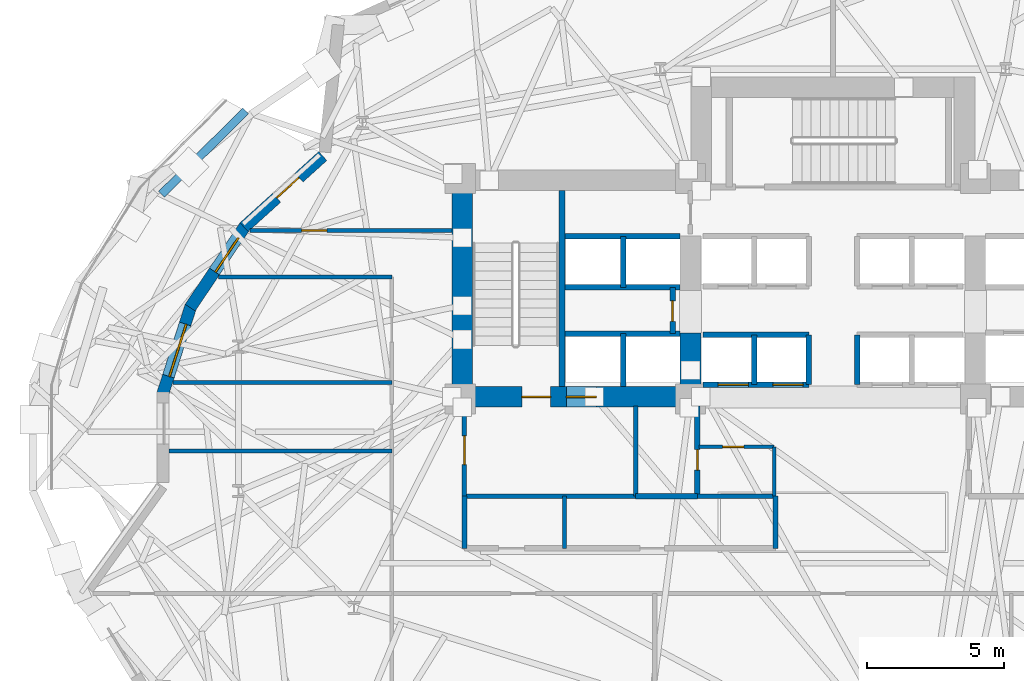
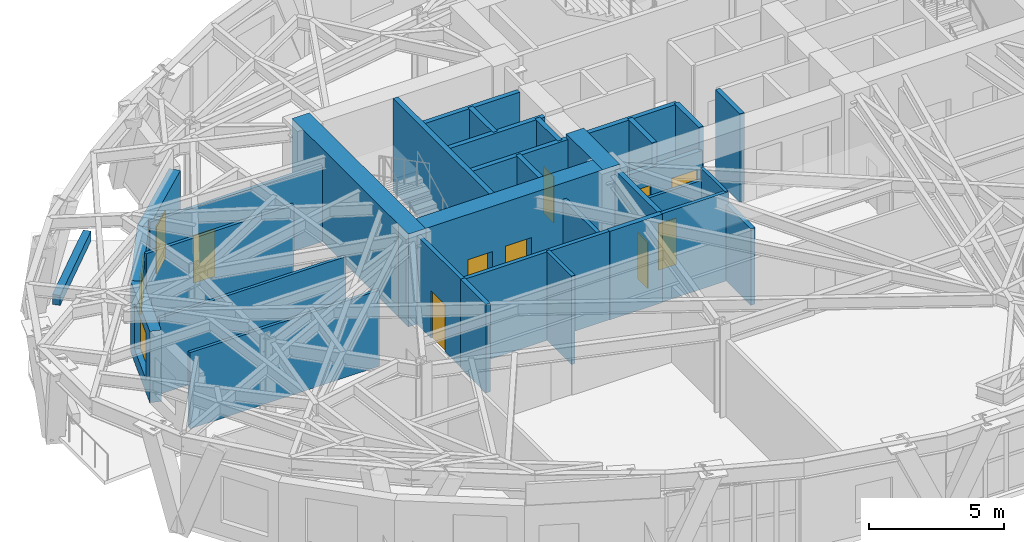
# One storey, part 13 of 20: 34 walls, 10 doors, 2 windows, 12 openings.
"""IFC4 building model written with IfcOpenShell, lengths in metres."""

from ifc_helpers import new_model, si_unit, direction, frame, frame_2d, origin, place, context, subcontext, project, spatial, rectangle, extrude, material, layer, layer_set, type_object, element, fill, save


model = new_model("IFC4")

# Units and contexts
model_context = context("Model", 3, precision=1e-05, world=origin(), true_north=direction((0.0, 1.0)))
body_context = subcontext(model_context, "Body", "Model", "MODEL_VIEW")
ifc_project = project(units=[si_unit("LENGTHUNIT", "METRE"), si_unit("AREAUNIT", "SQUARE_METRE"), si_unit("VOLUMEUNIT", "CUBIC_METRE"), si_unit("PLANEANGLEUNIT", "RADIAN"), si_unit("MASSUNIT", "GRAM", prefix="KILO")], contexts=[model_context])

# Site, building, storey
site_placement = place(None, origin())
site = spatial("IfcSite", under=ifc_project, at=site_placement, CompositionType="ELEMENT")
building_placement = place(site_placement, origin())
building = spatial("IfcBuilding", under=site, at=building_placement, Name="Keldmark Tower", CompositionType="ELEMENT")
storey_placement = place(building_placement, frame((0.0, 0.0, 81.89990234375)))
storey = spatial("IfcBuildingStorey", under=building, at=storey_placement, Name="L21", CompositionType="ELEMENT", Elevation=81.89990234375)

# Wall, opening, door
ifc_material_1 = material(Name="Acoustic Double-Layer Gypsum Corridor Partition", Category="gypsum")
ifc_layer_1 = layer(ifc_material_1, 0.139892578125)
ifc_layer_set_1 = layer_set([ifc_layer_1], Name="Acoustic Double-Layer Gypsum Corridor Partition")
wall_type_1 = type_object("IfcWallType", Name="Acoustic Corridor Partition 140 mm", PredefinedType="PARTITIONING", material=ifc_layer_set_1)
wall_1_placement = place(storey_placement, frame((-21.28076171875, 7.550048828125, 0.0), z_axis=(0.0, 0.0, 1.0), x_axis=(1.0, 0.0, 0.0)))
wall_1 = element("IfcWall", 1, at=wall_1_placement, inside=storey, type_object=wall_type_1, Name="L21 Acoustic Corridor Partition 140 mm COR-WN-CAP", PredefinedType="PARTITIONING", context=body_context, shape_type="SweptSolid", body=[
    extrude(rectangle(XDim=7.380859375, YDim=0.139892578125, at=frame_2d((3.6904296875, 0.0))), origin(), (0.0, 0.0, 1.0), 3.463134765625),
])
opening_1_placement = place(wall_1_placement, frame((1.889892578125, 0.0, 0.0)))
opening_1 = element("IfcOpeningElement", 2, at=opening_1_placement, cuts=wall_1, Name="Opening D-EX092", PredefinedType="OPENING", context=body_context, shape_type="SweptSolid", body=[
    extrude(rectangle(XDim=0.919921875, YDim=2.14990234375, at=frame_2d((0.4599609375, 1.074951171875))), frame((0.0, 0.079833984375, 0.0), z_axis=(0.0, -1.0, 0.0), x_axis=(1.0, 0.0, 0.0)), (0.0, 0.0, 1.0), 0.159912109375),
])
ifc_material_2 = material(Name="Flush American Ash Executive Office Door", Category="wood")
door_type_1 = type_object("IfcDoorType", Name="Executive Office Door 920x2150", OperationType="NOTDEFINED", PredefinedType="DOOR", material=ifc_material_2)
door_1_placement = place(opening_1_placement, origin())
door_1 = element("IfcDoor", 3, at=door_1_placement, inside=storey, type_object=door_type_1, Name="L21 Executive Office Door 920x2150 D-NRNW-L21", OperationType="SINGLE_SWING_LEFT", OverallHeight=2.14990234375, OverallWidth=0.919921875, PredefinedType="DOOR", context=body_context, shape_type="SweptSolid", body=[
    extrude(rectangle(XDim=0.919921875, YDim=2.14990234375, at=frame_2d((0.4599609375, 1.074951171875))), frame((0.0, 0.02490234375, 0.0), z_axis=(0.0, -1.0, 0.0), x_axis=(1.0, 0.0, 0.0)), (0.0, 0.0, 1.0), 0.050048828125),
])
fill(opening_1, door_1)

# Walls
wall_2_placement = place(storey_placement, frame((-22.431884765625, 5.85009765625, 0.0), z_axis=(0.0, 0.0, 1.0), x_axis=(1.0, 0.0, 0.0)))
element("IfcWall", 4, at=wall_2_placement, inside=storey, type_object=wall_type_1, Name="L21 Acoustic Corridor Partition 140 mm COR-WA-S", PredefinedType="PARTITIONING", context=body_context, shape_type="SweptSolid", body=[
    extrude(rectangle(XDim=6.331787109375, YDim=0.139892578125, at=frame_2d((3.166015625, 0.0))), origin(), (0.0, 0.0, 1.0), 3.463134765625),
])
ifc_material_3 = material(Name="Heavy Acoustic Plumbing Chase Gypsum Assembly", Category="gypsum")
ifc_layer_2 = layer(ifc_material_3, 0.18994140625)
ifc_layer_set_2 = layer_set([ifc_layer_2], Name="Heavy Acoustic Plumbing Chase Gypsum Assembly")
wall_type_2 = type_object("IfcWallType", Name="Heavy Wet Wall 190 mm", PredefinedType="PLUMBINGWALL", material=ifc_layer_set_2)
wall_3_placement = place(storey_placement, frame((-13.449951171875, -4.050048828125, 0.0), z_axis=(0.0, 0.0, 1.0), x_axis=(0.0, 1.0, 0.0)))
element("IfcWall", 5, at=wall_3_placement, inside=storey, type_object=wall_type_2, Name="L21 Heavy Wet Wall 190 mm SPK-W-W", PredefinedType="PLUMBINGWALL", context=body_context, shape_type="SweptSolid", body=[
    extrude(rectangle(XDim=1.900146484375, YDim=0.18994140625, at=frame_2d((0.9501953125, 0.0))), origin(), (0.0, 0.0, 1.0), 4.010009765625),
])
wall_4_placement = place(storey_placement, frame((-2.10009765625, -4.050048828125, 0.0), z_axis=(0.0, 0.0, 1.0), x_axis=(0.0, 1.0, 0.0)))
element("IfcWall", 6, at=wall_4_placement, inside=storey, type_object=wall_type_2, Name="L21 Heavy Wet Wall 190 mm SPK-W-E", PredefinedType="PLUMBINGWALL", context=body_context, shape_type="SweptSolid", body=[
    extrude(rectangle(XDim=1.900146484375, YDim=0.18994140625, at=frame_2d((0.9501953125, 0.0))), origin(), (0.0, 0.0, 1.0), 3.463134765625),
])

# Wall, opening, door
ifc_material_4 = material(Name="Acoustic Gypsum Board Interior Partition", Category="gypsum")
ifc_layer_3 = layer(ifc_material_4, 0.1298828125)
ifc_layer_set_3 = layer_set([ifc_layer_3], Name="Acoustic Gypsum Board Interior Partition")
wall_type_3 = type_object("IfcWallType", Name="Interior Partition 130 mm", PredefinedType="PARTITIONING", material=ifc_layer_set_3)
wall_5_placement = place(storey_placement, frame((-4.8798828125, -0.35009765625, 0.0), z_axis=(0.0, 0.0, 1.0), x_axis=(1.0, 0.0, 0.0)))
wall_5 = element("IfcWall", 7, at=wall_5_placement, inside=storey, type_object=wall_type_3, Name="L21 Interior Partition 130 mm CSC-W-N", PredefinedType="PARTITIONING", context=body_context, shape_type="SweptSolid", body=[
    extrude(rectangle(XDim=2.72998046875, YDim=0.1298828125, at=frame_2d((1.364990234375, 0.0))), origin(), (0.0, 0.0, 1.0), 3.463134765625),
])
opening_2_placement = place(wall_5_placement, frame((0.85009765625, 0.0, 0.0)))
opening_2 = element("IfcOpeningElement", 8, at=opening_2_placement, cuts=wall_5, Name="Opening D-CL078", PredefinedType="OPENING", context=body_context, shape_type="SweptSolid", body=[
    extrude(rectangle(XDim=0.780029296875, YDim=2.10009765625, at=frame_2d((0.39013671875, 1.050048828125))), frame((0.0, 0.074951171875, 0.0), z_axis=(0.0, -1.0, 0.0), x_axis=(1.0, 0.0, 0.0)), (0.0, 0.0, 1.0), 0.14990234375),
])
ifc_material_5 = material(Name="Flush Utility Closet Timber Door", Category="wood")
door_type_2 = type_object("IfcDoorType", Name="Closet Door 780x2100", OperationType="NOTDEFINED", PredefinedType="DOOR", material=ifc_material_5)
door_2_placement = place(opening_2_placement, origin())
door_2 = element("IfcDoor", 9, at=door_2_placement, inside=storey, type_object=door_type_2, Name="L21 Closet Door 780x2100 D-CSCW1-L21", OperationType="SINGLE_SWING_RIGHT", OverallHeight=2.10009765625, OverallWidth=0.780029296875, PredefinedType="DOOR", context=body_context, shape_type="SweptSolid", body=[
    extrude(rectangle(XDim=0.780029296875, YDim=2.10009765625, at=frame_2d((0.39013671875, 1.050048828125))), frame((0.0, 0.02490234375, 0.0), z_axis=(0.0, -1.0, 0.0), x_axis=(1.0, 0.0, 0.0)), (0.0, 0.0, 1.0), 0.050048828125),
])
fill(opening_2, door_2)

# Walls
wall_6_placement = place(storey_placement, frame((-2.14990234375, -2.14990234375, 0.0), z_axis=(0.0, 0.0, 1.0), x_axis=(0.0, 1.0, 0.0)))
element("IfcWall", 10, at=wall_6_placement, inside=storey, type_object=wall_type_3, Name="L21 Interior Partition 130 mm CSC-W-E", PredefinedType="PARTITIONING", context=body_context, shape_type="SweptSolid", body=[
    extrude(rectangle(XDim=1.7998046875, YDim=0.1298828125, at=frame_2d((0.89990234375, 0.0))), origin(), (0.0, 0.0, 1.0), 4.010009765625),
])
wall_7_placement = place(storey_placement, frame((-24.22216796875, -0.5, 0.0), z_axis=(0.0, 0.0, 1.0), x_axis=(1.0, 0.0, 0.0)))
element("IfcWall", 11, at=wall_7_placement, inside=storey, type_object=wall_type_3, Name="L21 Interior Partition 130 mm W-DIV-1", PredefinedType="PARTITIONING", context=body_context, shape_type="SweptSolid", body=[
    extrude(rectangle(XDim=8.1220703125, YDim=0.1298828125, at=frame_2d((4.06103515625, 0.0))), origin(), (0.0, 0.0, 1.0), 3.451171875),
])
wall_8_placement = place(storey_placement, frame((-24.086181640625, 2.0, 0.0), z_axis=(0.0, 0.0, 1.0), x_axis=(1.0, 0.0, 0.0)))
element("IfcWall", 12, at=wall_8_placement, inside=storey, type_object=wall_type_3, Name="L21 Interior Partition 130 mm W-DIV-2", PredefinedType="PARTITIONING", context=body_context, shape_type="SweptSolid", body=[
    extrude(rectangle(XDim=7.986083984375, YDim=0.1298828125, at=frame_2d((3.9931640625, 0.0))), origin(), (0.0, 0.0, 1.0), 3.451171875),
])
ifc_material_6 = material(Name="Concrete C70/85", Category="concrete")
ifc_layer_4 = layer(ifc_material_6, 0.75)
ifc_layer_set_4 = layer_set([ifc_layer_4], Name="Concrete C70/85")
wall_type_4 = type_object("IfcWallType", Name="Low-Mid Core Shear Wall 750 mm", PredefinedType="SHEAR", material=ifc_layer_set_4)
wall_9_placement = place(storey_placement, frame((-13.52490234375, 1.10009765625, 0.0), z_axis=(0.0, 0.0, 1.0), x_axis=(0.0, 1.0, 0.0)))
element("IfcWall", 13, at=wall_9_placement, inside=storey, type_object=wall_type_4, Name="L21 West Core Outer Shear Wall", PredefinedType="SHEAR", context=body_context, shape_type="SweptSolid", body=[
    extrude(rectangle(XDim=8.64990234375, YDim=0.75, at=frame_2d((4.324951171875, 0.0))), origin(), (0.0, 0.0, 1.0), 4.2001953125),
])

# Wall, openings, doors
wall_10_placement = place(storey_placement, frame((-4.824951171875, 1.47509765625, 0.0), z_axis=(0.0, 0.0, 1.0), x_axis=(-1.0, 0.0, 0.0)))
wall_10 = element("IfcWall", 14, at=wall_10_placement, inside=storey, type_object=wall_type_4, Name="L21 West Core South Shear Wall", PredefinedType="SHEAR", context=body_context, shape_type="SweptSolid", body=[
    extrude(rectangle(XDim=9.074951171875, YDim=0.75, at=frame_2d((4.53759765625, 0.0))), origin(), (0.0, 0.0, 1.0), 4.2001953125),
])
opening_3_placement = place(wall_10_placement, frame((5.47509765625, 0.0, 0.0)))
opening_3 = element("IfcOpeningElement", 15, at=opening_3_placement, cuts=wall_10, Name="Opening D-ST105", PredefinedType="OPENING", context=body_context, shape_type="SweptSolid", body=[
    extrude(rectangle(XDim=1.050048828125, YDim=2.14990234375, at=frame_2d((0.52490234375, 1.074951171875))), frame((0.0, 0.385009765625, 0.0), z_axis=(0.0, -1.0, 0.0), x_axis=(1.0, 0.0, 0.0)), (0.0, 0.0, 1.0), 0.77001953125),
])
opening_4_placement = place(wall_10_placement, frame((3.804931640625, 0.0, 0.0)))
opening_4 = element("IfcOpeningElement", 16, at=opening_4_placement, cuts=wall_10, Name="Opening LD-110", PredefinedType="OPENING", context=body_context, shape_type="SweptSolid", body=[
    extrude(rectangle(XDim=1.10009765625, YDim=2.199951171875, at=frame_2d((0.550048828125, 1.10009765625))), frame((0.0, 0.385009765625, 0.0), z_axis=(0.0, -1.0, 0.0), x_axis=(1.0, 0.0, 0.0)), (0.0, 0.0, 1.0), 0.77001953125),
])
ifc_material_7 = material(Name="Brushed Bronze Hoistway Sliding Leaf", Category="metal")
door_type_3 = type_object("IfcDoorType", Name="Lift Landing Sliding Door 1100x2200", OperationType="SLIDING_TO_LEFT", PredefinedType="DOOR", material=ifc_material_7)
door_3_placement = place(opening_4_placement, origin())
door_3 = element("IfcDoor", 17, at=door_3_placement, inside=storey, type_object=door_type_3, Name="L21 Lift Landing Sliding Door 1100x2200 LD-EL-FS1-L21", OperationType="SLIDING_TO_LEFT", OverallHeight=2.199951171875, OverallWidth=1.10009765625, PredefinedType="DOOR", context=body_context, shape_type="SweptSolid", body=[
    extrude(rectangle(XDim=1.10009765625, YDim=2.199951171875, at=frame_2d((0.550048828125, 1.10009765625))), frame((0.0, 0.02490234375, 0.0), z_axis=(0.0, -1.0, 0.0), x_axis=(1.0, 0.0, 0.0)), (0.0, 0.0, 1.0), 0.050048828125),
])
fill(opening_4, door_3)
ifc_material_8 = material(Name="Hollow Metal Fire-Rated Door Assembly", Category="metal")
door_type_4 = type_object("IfcDoorType", Name="Stair Fire Door 1050x2150", OperationType="NOTDEFINED", PredefinedType="DOOR", material=ifc_material_8)
door_4_placement = place(opening_3_placement, origin())
door_4 = element("IfcDoor", 18, at=door_4_placement, inside=storey, type_object=door_type_4, Name="L21 Stair Fire Door 1050x2150 D-ST1-L21", OperationType="SINGLE_SWING_RIGHT", OverallHeight=2.14990234375, OverallWidth=1.050048828125, PredefinedType="DOOR", context=body_context, shape_type="SweptSolid", body=[
    extrude(rectangle(XDim=1.050048828125, YDim=2.14990234375, at=frame_2d((0.52490234375, 1.074951171875))), frame((0.0, 0.02490234375, 0.0), z_axis=(0.0, -1.0, 0.0), x_axis=(1.0, 0.0, 0.0)), (0.0, 0.0, 1.0), 0.050048828125),
])
fill(opening_3, door_4)

# Walls
wall_11_placement = place(storey_placement, frame((-5.199951171875, 1.10009765625, 0.0), z_axis=(0.0, 0.0, 1.0), x_axis=(0.0, 1.0, 0.0)))
element("IfcWall", 19, at=wall_11_placement, inside=storey, type_object=wall_type_4, Name="L21 West Core Inner Shear Pier South", PredefinedType="SHEAR", context=body_context, shape_type="SweptSolid", body=[
    extrude(rectangle(XDim=2.699951171875, YDim=0.75, at=frame_2d((1.35009765625, 0.0))), origin(), (0.0, 0.0, 1.0), 4.2001953125),
])
ifc_material_9 = material(Name="Type X Fire-Rated Gypsum Partition Assembly", Category="gypsum")
ifc_layer_5 = layer(ifc_material_9, 0.1650390625)
ifc_layer_set_5 = layer_set([ifc_layer_5], Name="Type X Fire-Rated Gypsum Partition Assembly")
wall_type_5 = type_object("IfcWallType", Name="Rated Partition 165 mm", PredefinedType="PARTITIONING", material=ifc_layer_set_5)
wall_12_placement = place(storey_placement, frame((-13.449951171875, -2.14990234375, 0.0), z_axis=(0.0, 0.0, 1.0), x_axis=(1.0, 0.0, 0.0)))
element("IfcWall", 20, at=wall_12_placement, inside=storey, type_object=wall_type_5, Name="L21 Rated Partition 165 mm FSAE-W-S", PredefinedType="PARTITIONING", context=body_context, shape_type="SweptSolid", body=[
    extrude(rectangle(XDim=6.25, YDim=0.1650390625, at=frame_2d((3.125, 0.0))), origin(), (0.0, 0.0, 1.0), 4.010009765625),
])

# Wall, opening, door
wall_13_placement = place(storey_placement, frame((-13.449951171875, -2.14990234375, 0.0), z_axis=(0.0, 0.0, 1.0), x_axis=(0.0, 1.0, 0.0)))
wall_13 = element("IfcWall", 21, at=wall_13_placement, inside=storey, type_object=wall_type_5, Name="L21 Rated Partition 165 mm FSAE-W-W", PredefinedType="PARTITIONING", context=body_context, shape_type="SweptSolid", body=[
    extrude(rectangle(XDim=3.2998046875, YDim=0.1650390625, at=frame_2d((1.64990234375, 0.0))), origin(), (0.0, 0.0, 1.0), 4.010009765625),
])
opening_5_placement = place(wall_13_placement, frame((1.14990234375, 0.0, 0.0)))
opening_5 = element("IfcOpeningElement", 22, at=opening_5_placement, cuts=wall_13, Name="Opening D-FL105", PredefinedType="OPENING", context=body_context, shape_type="SweptSolid", body=[
    extrude(rectangle(XDim=1.050048828125, YDim=2.14990234375, at=frame_2d((0.52490234375, 1.074951171875))), frame((0.0, 0.092529296875, 0.0), z_axis=(0.0, -1.0, 0.0), x_axis=(1.0, 0.0, 0.0)), (0.0, 0.0, 1.0), 0.18505859375),
])
ifc_material_10 = material(Name="Fire-Rated Mineral-Core Door and Vision Lite", Category="metal")
door_type_5 = type_object("IfcDoorType", Name="Fire Lobby Door 1050x2150", OperationType="NOTDEFINED", PredefinedType="DOOR", material=ifc_material_10)
door_5_placement = place(opening_5_placement, origin())
door_5 = element("IfcDoor", 23, at=door_5_placement, inside=storey, type_object=door_type_5, Name="L21 Fire Lobby Door 1050x2150 D-FSAEW-OUT-L21", OperationType="SINGLE_SWING_LEFT", OverallHeight=2.14990234375, OverallWidth=1.050048828125, PredefinedType="DOOR", context=body_context, shape_type="SweptSolid", body=[
    extrude(rectangle(XDim=1.050048828125, YDim=2.14990234375, at=frame_2d((0.52490234375, 1.074951171875))), frame((0.0, 0.02490234375, 0.0), z_axis=(0.0, -1.0, 0.0), x_axis=(1.0, 0.0, 0.0)), (0.0, 0.0, 1.0), 0.050048828125),
])
fill(opening_5, door_5)

# Walls
wall_14_placement = place(storey_placement, frame((-7.199951171875, -2.14990234375, 0.0), z_axis=(0.0, 0.0, 1.0), x_axis=(0.0, 1.0, 0.0)))
element("IfcWall", 24, at=wall_14_placement, inside=storey, type_object=wall_type_5, Name="L21 Rated Partition 165 mm FSAE-W-E", PredefinedType="PARTITIONING", context=body_context, shape_type="SweptSolid", body=[
    extrude(rectangle(XDim=3.2998046875, YDim=0.1650390625, at=frame_2d((1.64990234375, 0.0))), origin(), (0.0, 0.0, 1.0), 3.463134765625),
])
ifc_material_11 = material(Name="Fire-Resistant Type X Gypsum Shaftliner Coreboard", Category="gypsum")
ifc_layer_6 = layer(ifc_material_11, 0.199951171875)
ifc_layer_set_6 = layer_set([ifc_layer_6], Name="Fire-Resistant Type X Gypsum Shaftliner Coreboard")
wall_type_6 = type_object("IfcWallType", Name="Shaft Wall 200 mm", PredefinedType="SOLIDWALL", material=ifc_layer_set_6)
wall_15_placement = place(storey_placement, frame((-7.199951171875, -2.14990234375, 0.0), z_axis=(0.0, 0.0, 1.0), x_axis=(1.0, 0.0, 0.0)))
element("IfcWall", 25, at=wall_15_placement, inside=storey, type_object=wall_type_6, Name="L21 Shaft Wall 200 mm RIS-SW-S", PredefinedType="SOLIDWALL", context=body_context, shape_type="SweptSolid", body=[
    extrude(rectangle(XDim=2.25, YDim=0.199951171875, at=frame_2d((1.125, 0.0))), origin(), (0.0, 0.0, 1.0), 4.010009765625),
])

# Wall, opening, door
wall_16_placement = place(storey_placement, frame((-4.949951171875, -2.14990234375, 0.0), z_axis=(0.0, 0.0, 1.0), x_axis=(0.0, 1.0, 0.0)))
wall_16 = element("IfcWall", 26, at=wall_16_placement, inside=storey, type_object=wall_type_6, Name="L21 Shaft Wall 200 mm RIS-SW-E", PredefinedType="SOLIDWALL", context=body_context, shape_type="SweptSolid", body=[
    extrude(rectangle(XDim=3.2998046875, YDim=0.199951171875, at=frame_2d((1.64990234375, 0.0))), origin(), (0.0, 0.0, 1.0), 4.010009765625),
])
opening_6_placement = place(wall_16_placement, frame((0.949951171875, 0.0, 0.0)))
opening_6 = element("IfcOpeningElement", 27, at=opening_6_placement, cuts=wall_16, Name="Opening D-RS075", PredefinedType="OPENING", context=body_context, shape_type="SweptSolid", body=[
    extrude(rectangle(XDim=0.75, YDim=2.10009765625, at=frame_2d((0.375, 1.050048828125))), frame((0.0, 0.10986328125, 0.0), z_axis=(0.0, -1.0, 0.0), x_axis=(1.0, 0.0, 0.0)), (0.0, 0.0, 1.0), 0.219970703125),
])
ifc_material_12 = material(Name="Galvanized Fire-Rated Access Leaf", Category="metal")
door_type_6 = type_object("IfcDoorType", Name="Riser Access Door 750x2100", OperationType="NOTDEFINED", PredefinedType="DOOR", material=ifc_material_12)
door_6_placement = place(opening_6_placement, origin())
door_6 = element("IfcDoor", 28, at=door_6_placement, inside=storey, type_object=door_type_6, Name="L21 Riser Access Door 750x2100 D-RISSW-L21", OperationType="SINGLE_SWING_RIGHT", OverallHeight=2.10009765625, OverallWidth=0.75, PredefinedType="DOOR", context=body_context, shape_type="SweptSolid", body=[
    extrude(rectangle(XDim=0.75, YDim=2.10009765625, at=frame_2d((0.375, 1.050048828125))), frame((0.0, 0.02490234375, 0.0), z_axis=(0.0, -1.0, 0.0), x_axis=(1.0, 0.0, 0.0)), (0.0, 0.0, 1.0), 0.050048828125),
])
fill(opening_6, door_6)

# Walls
wall_17_placement = place(storey_placement, frame((-9.780029296875, 3.780029296875, 0.0), z_axis=(0.0, 0.0, 1.0), x_axis=(1.0, 0.0, 0.0)))
element("IfcWall", 29, at=wall_17_placement, inside=storey, type_object=wall_type_6, Name="L21 Shaft Wall 200 mm HW-W-S", PredefinedType="SOLIDWALL", context=body_context, shape_type="SweptSolid", body=[
    extrude(rectangle(XDim=4.205078125, YDim=0.199951171875, at=frame_2d((2.1025390625, 0.0))), origin(), (0.0, 0.0, 1.0), 4.010009765625),
])
wall_18_placement = place(storey_placement, frame((-7.64990234375, 1.85009765625, 0.0), z_axis=(0.0, 0.0, 1.0), x_axis=(0.0, 1.0, 0.0)))
element("IfcWall", 30, at=wall_18_placement, inside=storey, type_object=wall_type_6, Name="L21 Shaft Wall 200 mm HW-W-M", PredefinedType="SOLIDWALL", context=body_context, shape_type="SweptSolid", body=[
    extrude(rectangle(XDim=1.929931640625, YDim=0.199951171875, at=frame_2d((0.96484375, 0.0))), origin(), (0.0, 0.0, 1.0), 4.010009765625),
])
for number, where, z_axis, x_axis, name in (
    (31, (-9.780029296875, 5.469970703125, 0.0), (0.0, 0.0, 1.0), (1.0, 0.0, 0.0), "L21 Shaft Wall 200 mm HW-W-N"),
    (32, (-9.780029296875, 7.330078125, 0.0), (0.0, 0.0, 1.0), (1.0, 0.0, 0.0), "L21 Shaft Wall 200 mm HW-W-TOP"),
):
    element("IfcWall", number, at=place(storey_placement, frame(where, z_axis=z_axis, x_axis=x_axis)), inside=storey, type_object=wall_type_6, Name=name, PredefinedType="SOLIDWALL", context=body_context, shape_type="SweptSolid", body=[
        extrude(rectangle(XDim=4.205078125, YDim=0.199951171875, at=frame_2d((2.1025390625, 0.0))), origin(), (0.0, 0.0, 1.0), 4.010009765625),
    ])
wall_19_placement = place(storey_placement, frame((-7.64990234375, 5.469970703125, 0.0), z_axis=(0.0, 0.0, 1.0), x_axis=(0.0, 1.0, 0.0)))
element("IfcWall", 33, at=wall_19_placement, inside=storey, type_object=wall_type_6, Name="L21 Shaft Wall 200 mm HW-W-NM", PredefinedType="SOLIDWALL", context=body_context, shape_type="SweptSolid", body=[
    extrude(rectangle(XDim=1.860107421875, YDim=0.199951171875, at=frame_2d((0.93017578125, 0.0))), origin(), (0.0, 0.0, 1.0), 4.010009765625),
])

# Wall, opening, door
wall_20_placement = place(storey_placement, frame((-5.85009765625, 3.780029296875, 0.0), z_axis=(0.0, 0.0, 1.0), x_axis=(0.0, 1.0, 0.0)))
wall_20 = element("IfcWall", 34, at=wall_20_placement, inside=storey, type_object=wall_type_6, Name="L21 Shaft Wall 200 mm HW-W-CLOSE", PredefinedType="SOLIDWALL", context=body_context, shape_type="SweptSolid", body=[
    extrude(rectangle(XDim=1.68994140625, YDim=0.199951171875, at=frame_2d((0.844970703125, 0.0))), origin(), (0.0, 0.0, 1.0), 4.010009765625),
])
opening_7_placement = place(wall_20_placement, frame((0.449951171875, 0.0, 0.0)))
opening_7 = element("IfcOpeningElement", 35, at=opening_7_placement, cuts=wall_20, Name="Opening D-RS075", PredefinedType="OPENING", context=body_context, shape_type="SweptSolid", body=[
    extrude(rectangle(XDim=0.75, YDim=2.10009765625, at=frame_2d((0.375, 1.050048828125))), frame((0.0, 0.10986328125, 0.0), z_axis=(0.0, -1.0, 0.0), x_axis=(1.0, 0.0, 0.0)), (0.0, 0.0, 1.0), 0.219970703125),
])
door_7_placement = place(opening_7_placement, origin())
door_7 = element("IfcDoor", 36, at=door_7_placement, inside=storey, type_object=door_type_6, Name="L21 Riser Access Door 750x2100 D-RISHW-L21", OperationType="SINGLE_SWING_RIGHT", OverallHeight=2.10009765625, OverallWidth=0.75, PredefinedType="DOOR", context=body_context, shape_type="SweptSolid", body=[
    extrude(rectangle(XDim=0.75, YDim=2.10009765625, at=frame_2d((0.375, 1.050048828125))), frame((0.0, 0.02490234375, 0.0), z_axis=(0.0, -1.0, 0.0), x_axis=(1.0, 0.0, 0.0)), (0.0, 0.0, 1.0), 0.050048828125),
])
fill(opening_7, door_7)

# Wall, openings, doors
wall_21_placement = place(storey_placement, frame((-4.739990234375, 1.919921875, 0.0), z_axis=(0.0, 0.0, 1.0), x_axis=(1.0, 0.0, 0.0)))
wall_21 = element("IfcWall", 37, at=wall_21_placement, inside=storey, type_object=wall_type_6, Name="L21 Shaft Wall 200 mm LOW-S-W", PredefinedType="SOLIDWALL", context=body_context, shape_type="SweptSolid", body=[
    extrude(rectangle(XDim=3.860107421875, YDim=0.199951171875, at=frame_2d((1.93017578125, 0.0))), origin(), (0.0, 0.0, 1.0), 3.0),
])
opening_8_placement = place(wall_21_placement, frame((0.550048828125, 0.0, 0.0)))
opening_8 = element("IfcOpeningElement", 38, at=opening_8_placement, cuts=wall_21, Name="Opening LD-110", PredefinedType="OPENING", context=body_context, shape_type="SweptSolid", body=[
    extrude(rectangle(XDim=1.10009765625, YDim=2.199951171875, at=frame_2d((0.550048828125, 1.10009765625))), frame((0.0, 0.10986328125, 0.0), z_axis=(0.0, -1.0, 0.0), x_axis=(1.0, 0.0, 0.0)), (0.0, 0.0, 1.0), 0.219970703125),
])
opening_9_placement = place(wall_21_placement, frame((2.550048828125, 0.0, 0.0)))
opening_9 = element("IfcOpeningElement", 39, at=opening_9_placement, cuts=wall_21, Name="Opening LD-110", PredefinedType="OPENING", context=body_context, shape_type="SweptSolid", body=[
    extrude(rectangle(XDim=1.10009765625, YDim=2.199951171875, at=frame_2d((0.550048828125, 1.10009765625))), frame((0.0, 0.10986328125, 0.0), z_axis=(0.0, -1.0, 0.0), x_axis=(1.0, 0.0, 0.0)), (0.0, 0.0, 1.0), 0.219970703125),
])
door_8_placement = place(opening_8_placement, origin())
door_8 = element("IfcDoor", 40, at=door_8_placement, inside=storey, type_object=door_type_3, Name="L21 Lift Landing Sliding Door 1100x2200 LD-EL-L1-L21", OperationType="SLIDING_TO_LEFT", OverallHeight=2.199951171875, OverallWidth=1.10009765625, PredefinedType="DOOR", context=body_context, shape_type="SweptSolid", body=[
    extrude(rectangle(XDim=1.10009765625, YDim=2.199951171875, at=frame_2d((0.550048828125, 1.10009765625))), frame((0.0, 0.02490234375, 0.0), z_axis=(0.0, -1.0, 0.0), x_axis=(1.0, 0.0, 0.0)), (0.0, 0.0, 1.0), 0.050048828125),
])
fill(opening_8, door_8)
door_9_placement = place(opening_9_placement, origin())
door_9 = element("IfcDoor", 41, at=door_9_placement, inside=storey, type_object=door_type_3, Name="L21 Lift Landing Sliding Door 1100x2200 LD-EL-L2-L21", OperationType="SLIDING_TO_LEFT", OverallHeight=2.199951171875, OverallWidth=1.10009765625, PredefinedType="DOOR", context=body_context, shape_type="SweptSolid", body=[
    extrude(rectangle(XDim=1.10009765625, YDim=2.199951171875, at=frame_2d((0.550048828125, 1.10009765625))), frame((0.0, 0.02490234375, 0.0), z_axis=(0.0, -1.0, 0.0), x_axis=(1.0, 0.0, 0.0)), (0.0, 0.0, 1.0), 0.050048828125),
])
fill(opening_9, door_9)

# Walls
wall_22_placement = place(storey_placement, frame((-4.739990234375, 3.739990234375, 0.0), z_axis=(0.0, 0.0, 1.0), x_axis=(1.0, 0.0, 0.0)))
element("IfcWall", 42, at=wall_22_placement, inside=storey, type_object=wall_type_6, Name="L21 Shaft Wall 200 mm LOW-N-W", PredefinedType="SOLIDWALL", context=body_context, shape_type="SweptSolid", body=[
    extrude(rectangle(XDim=3.860107421875, YDim=0.199951171875, at=frame_2d((1.93017578125, 0.0))), origin(), (0.0, 0.0, 1.0), 4.010009765625),
])
for number, where, z_axis, x_axis, name in (
    (43, (-2.8798828125, 1.919921875, 0.0), (0.0, 0.0, 1.0), (0.0, 1.0, 0.0), "L21 Shaft Wall 200 mm LOW-M-W"),
    (44, (-0.8798828125, 1.919921875, 0.0), (0.0, 0.0, 1.0), (0.0, 1.0, 0.0), "L21 Shaft Wall 200 mm LOW-C-W"),
    (45, (0.8798828125, 1.919921875, 0.0), (0.0, 0.0, 1.0), (0.0, 1.0, 0.0), "L21 Shaft Wall 200 mm LOW-C-E"),
):
    element("IfcWall", number, at=place(storey_placement, frame(where, z_axis=z_axis, x_axis=x_axis)), inside=storey, type_object=wall_type_6, Name=name, PredefinedType="SOLIDWALL", context=body_context, shape_type="SweptSolid", body=[
        extrude(rectangle(XDim=1.820068359375, YDim=0.199951171875, at=frame_2d((0.91015625, 0.0))), origin(), (0.0, 0.0, 1.0), 4.010009765625),
    ])
ifc_material_13 = material(Name="Concrete C50/60", Category="concrete")
ifc_layer_7 = layer(ifc_material_13, 0.219970703125)
ifc_layer_set_7 = layer_set([ifc_layer_7], Name="Concrete C50/60")
wall_type_7 = type_object("IfcWallType", Name="Stair Core Shear Wall 220 mm", PredefinedType="SHEAR", material=ifc_layer_set_7)
wall_23_placement = place(storey_placement, frame((-9.889892578125, 1.85009765625, 0.0), z_axis=(0.0, 0.0, 1.0), x_axis=(0.0, 1.0, 0.0)))
element("IfcWall", 46, at=wall_23_placement, inside=storey, type_object=wall_type_7, Name="L21 West Stair Core Shear Wall", PredefinedType="SHEAR", context=body_context, shape_type="SweptSolid", body=[
    extrude(rectangle(XDim=7.14990234375, YDim=0.219970703125, at=frame_2d((3.574951171875, 0.0))), origin(), (0.0, 0.0, 1.0), 4.2001953125),
])
ifc_material_14 = material(Name="Ironspot Manganese Brick Planter Masonry", Category="masonry")
ifc_layer_8 = layer(ifc_material_14, 0.300048828125)
ifc_layer_set_8 = layer_set([ifc_layer_8], Name="Ironspot Manganese Brick Planter Masonry")
wall_type_8 = type_object("IfcWallType", Name="Terrace Brick Planter Kerb Wall 300 mm", PredefinedType="PARAPET", material=ifc_layer_set_8)
wall_24_placement = place(storey_placement, frame((-21.432373046875, 11.9091796875, 0.0), z_axis=(0.0, 0.0, 1.0), x_axis=(-0.710964434321, -0.703227966687, 0.0)))
element("IfcWall", 47, at=wall_24_placement, inside=storey, type_object=wall_type_8, Name="L21 Sky Garden Planter 01", PredefinedType="PARAPET", context=body_context, shape_type="SweptSolid", body=[
    extrude(rectangle(XDim=4.3232421875, YDim=0.300048828125, at=frame_2d((2.16162109375, 0.0))), origin(), (0.0, 0.0, 1.0), 0.4501953125),
])

# Wall, opening, door
ifc_material_15 = material(Name="Ironspot Manganese Brick and Kasota Buff Limestone Spandrel Assembly", Category="masonry")
ifc_layer_9 = layer(ifc_material_15, 0.43994140625)
ifc_layer_set_9 = layer_set([ifc_layer_9], Name="Ironspot Manganese Brick and Kasota Buff Limestone Spandrel Assembly")
wall_type_9 = type_object("IfcWallType", Name="Tower Brick Pier and Spandrel Wall 440 mm", PredefinedType="STANDARD", material=ifc_layer_set_9)
wall_25_placement = place(storey_placement, frame((-21.490478515625, 7.667724609375, 0.0), z_axis=(0.0, 0.0, 1.0), x_axis=(0.741715011028, 0.670715172346, 0.0)))
wall_25 = element("IfcWall", 48, at=wall_25_placement, inside=storey, type_object=wall_type_9, Name="L21 Exterior Brick and Spandrel Wall 13", PredefinedType="STANDARD", context=body_context, shape_type="SweptSolid", body=[
    extrude(rectangle(XDim=3.871826171875, YDim=0.43994140625, at=frame_2d((1.93603515625, 0.0))), origin(), (0.0, 0.0, 1.0), 3.232177734375),
])
opening_10_placement = place(wall_25_placement, frame((1.601318359375, 0.0, 0.0)))
opening_10 = element("IfcOpeningElement", 49, at=opening_10_placement, cuts=wall_25, Name="Opening TD-01", PredefinedType="OPENING", context=body_context, shape_type="SweptSolid", body=[
    extrude(rectangle(XDim=1.10009765625, YDim=2.14990234375, at=frame_2d((0.550048828125, 1.074951171875))), frame((0.0, 0.22998046875, 0.0), z_axis=(0.0, -1.0, 0.0), x_axis=(1.0, 0.0, 0.0)), (0.0, 0.0, 1.0), 0.4599609375),
])
ifc_material_16 = material(Name="Thermally Broken Painted Aluminum and Laminated Safety Glass", Category="aluminium")
door_type_7 = type_object("IfcDoorType", Name="Sky Garden Terrace Glazed Door 1100x2150", OperationType="SINGLE_SWING_LEFT", PredefinedType="DOOR", material=ifc_material_16)
door_10_placement = place(opening_10_placement, origin())
door_10 = element("IfcDoor", 50, at=door_10_placement, inside=storey, type_object=door_type_7, Name="L21 Sky-Garden Terrace Door 13", OperationType="SINGLE_SWING_LEFT", OverallHeight=2.14990234375, OverallWidth=1.10009765625, PredefinedType="DOOR", context=body_context, shape_type="SweptSolid", body=[
    extrude(rectangle(XDim=1.10009765625, YDim=2.14990234375, at=frame_2d((0.550048828125, 1.074951171875))), frame((0.0, 0.02490234375, 0.0), z_axis=(0.0, -1.0, 0.0), x_axis=(1.0, 0.0, 0.0)), (0.0, 0.0, 1.0), 0.050048828125),
])
fill(opening_10, door_10)

# Wall, opening, window
wall_26_placement = place(storey_placement, frame((-23.459228515625, 4.73291015625, 0.0), z_axis=(0.0, 0.0, 1.0), x_axis=(0.558605157635, 0.829433709143, 0.0)))
wall_26 = element("IfcWall", 51, at=wall_26_placement, inside=storey, type_object=wall_type_9, Name="L21 Exterior Brick and Spandrel Wall 14", PredefinedType="STANDARD", context=body_context, shape_type="SweptSolid", body=[
    extrude(rectangle(XDim=3.5869140625, YDim=0.43994140625, at=frame_2d((1.79345703125, 0.0))), origin(), (0.0, 0.0, 1.0), 3.232177734375),
])
opening_11_placement = place(wall_26_placement, frame((1.58935546875, 0.0, 0.60009765625)))
opening_11 = element("IfcOpeningElement", 52, at=opening_11_placement, cuts=wall_26, Name="Opening W-03", PredefinedType="OPENING", context=body_context, shape_type="SweptSolid", body=[
    extrude(rectangle(XDim=1.5, YDim=1.699951171875, at=frame_2d((0.75, 0.85009765625))), frame((0.0, 0.22998046875, 0.0), z_axis=(0.0, -1.0, 0.0), x_axis=(1.0, 0.0, 0.0)), (0.0, 0.0, 1.0), 0.4599609375),
])
ifc_material_17 = material(Name="Thermally Broken Anodized Aluminum and Triple Low-E Argon Glazing", Category="aluminium")
window_type_1 = type_object("IfcWindowType", Name="Office Corner Deep-Set Window 1500x1700", PartitioningType="DOUBLE_PANEL_VERTICAL", PredefinedType="WINDOW", material=ifc_material_17)
window_1_placement = place(opening_11_placement, origin())
window_1 = element("IfcWindow", 53, at=window_1_placement, inside=storey, type_object=window_type_1, Name="L21 Deep-Set Window 14", OverallHeight=1.699951171875, OverallWidth=1.5, PartitioningType="SINGLE_PANEL", PredefinedType="WINDOW", context=body_context, shape_type="SweptSolid", body=[
    extrude(rectangle(XDim=1.5, YDim=1.699951171875, at=frame_2d((0.75, 0.85009765625))), frame((0.0, -0.010009765625, 0.0), z_axis=(0.0, -1.0, 0.0), x_axis=(1.0, 0.0, 0.0)), (0.0, 0.0, 1.0), 0.06005859375),
])
fill(opening_11, window_1)

wall_27_placement = place(storey_placement, frame((-24.460693359375, 1.577880859375, 0.0), z_axis=(0.0, 0.0, 1.0), x_axis=(0.305062094241, 0.952332462251, 0.0)))
wall_27 = element("IfcWall", 54, at=wall_27_placement, inside=storey, type_object=wall_type_9, Name="L21 Exterior Brick and Spandrel Wall 15", PredefinedType="STANDARD", context=body_context, shape_type="SweptSolid", body=[
    extrude(rectangle(XDim=3.37158203125, YDim=0.43994140625, at=frame_2d((1.685791015625, 0.0))), origin(), (0.0, 0.0, 1.0), 3.232177734375),
])
opening_12_placement = place(wall_27_placement, frame((0.685791015625, 0.0, 0.60009765625)))
opening_12 = element("IfcOpeningElement", 55, at=opening_12_placement, cuts=wall_27, Name="Opening W-06", PredefinedType="OPENING", context=body_context, shape_type="SweptSolid", body=[
    extrude(rectangle(XDim=2.0, YDim=2.10009765625, at=frame_2d((1.0, 1.050048828125))), frame((0.0, 0.22998046875, 0.0), z_axis=(0.0, -1.0, 0.0), x_axis=(1.0, 0.0, 0.0)), (0.0, 0.0, 1.0), 0.4599609375),
])
ifc_material_18 = material(Name="Thermally Broken Anodized Aluminum and Triple Low-E Argon Glazing", Category="aluminium")
window_type_2 = type_object("IfcWindowType", Name="Sky Lounge Tall Punched Window 2000x2100", PartitioningType="SINGLE_PANEL", PredefinedType="WINDOW", material=ifc_material_18)
window_2_placement = place(opening_12_placement, origin())
window_2 = element("IfcWindow", 56, at=window_2_placement, inside=storey, type_object=window_type_2, Name="L21 Deep-Set Window 15", OverallHeight=2.10009765625, OverallWidth=2.0, PartitioningType="SINGLE_PANEL", PredefinedType="WINDOW", context=body_context, shape_type="SweptSolid", body=[
    extrude(rectangle(XDim=2.0, YDim=2.10009765625, at=frame_2d((1.0, 1.050048828125))), frame((0.0, -0.010009765625, 0.0), z_axis=(0.0, -1.0, 0.0), x_axis=(1.0, 0.0, 0.0)), (0.0, 0.0, 1.0), 0.06005859375),
])
fill(opening_12, window_2)

# Walls
ifc_material_19 = material(Name="Moisture-Resistant Gypsum Plumbing Partition", Category="gypsum")
ifc_layer_10 = layer(ifc_material_19, 0.14990234375)
ifc_layer_set_10 = layer_set([ifc_layer_10], Name="Moisture-Resistant Gypsum Plumbing Partition")
wall_type_10 = type_object("IfcWallType", Name="Wet Wall 150 mm", PredefinedType="PLUMBINGWALL", material=ifc_layer_set_10)
wall_28_placement = place(storey_placement, frame((-4.949951171875, -2.14990234375, 0.0), z_axis=(0.0, 0.0, 1.0), x_axis=(1.0, 0.0, 0.0)))
element("IfcWall", 57, at=wall_28_placement, inside=storey, type_object=wall_type_10, Name="L21 Wet Wall 150 mm SPK-W-N", PredefinedType="PLUMBINGWALL", context=body_context, shape_type="SweptSolid", body=[
    extrude(rectangle(XDim=2.849853515625, YDim=0.14990234375, at=frame_2d((1.4248046875, 0.0))), origin(), (0.0, 0.0, 1.0), 4.010009765625),
])
wall_29_placement = place(storey_placement, frame((-9.800048828125, -4.050048828125, 0.0), z_axis=(0.0, 0.0, 1.0), x_axis=(0.0, 1.0, 0.0)))
element("IfcWall", 58, at=wall_29_placement, inside=storey, type_object=wall_type_10, Name="L21 Wet Wall 150 mm SPK-W-D1", PredefinedType="PLUMBINGWALL", context=body_context, shape_type="SweptSolid", body=[
    extrude(rectangle(XDim=1.900146484375, YDim=0.14990234375, at=frame_2d((0.9501953125, 0.0))), origin(), (0.0, 0.0, 1.0), 4.010009765625),
])

save(model, "model.ifc")
